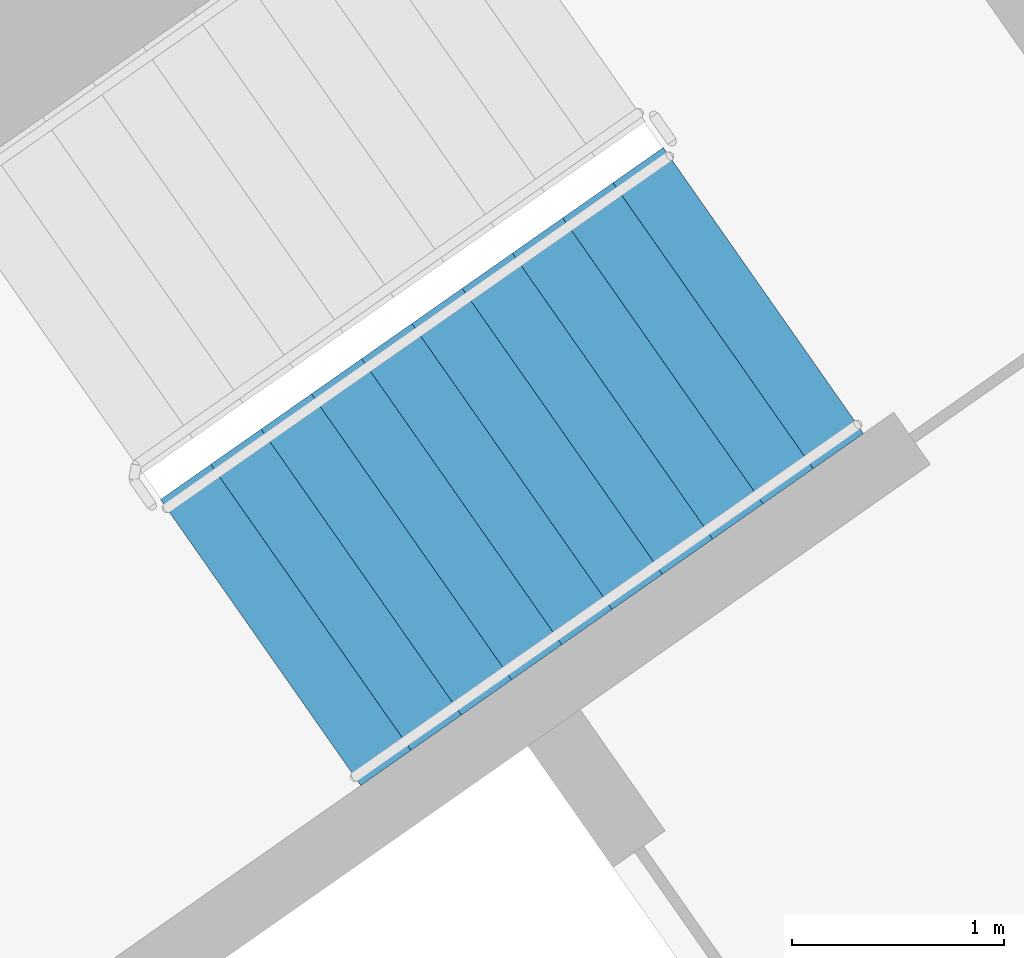
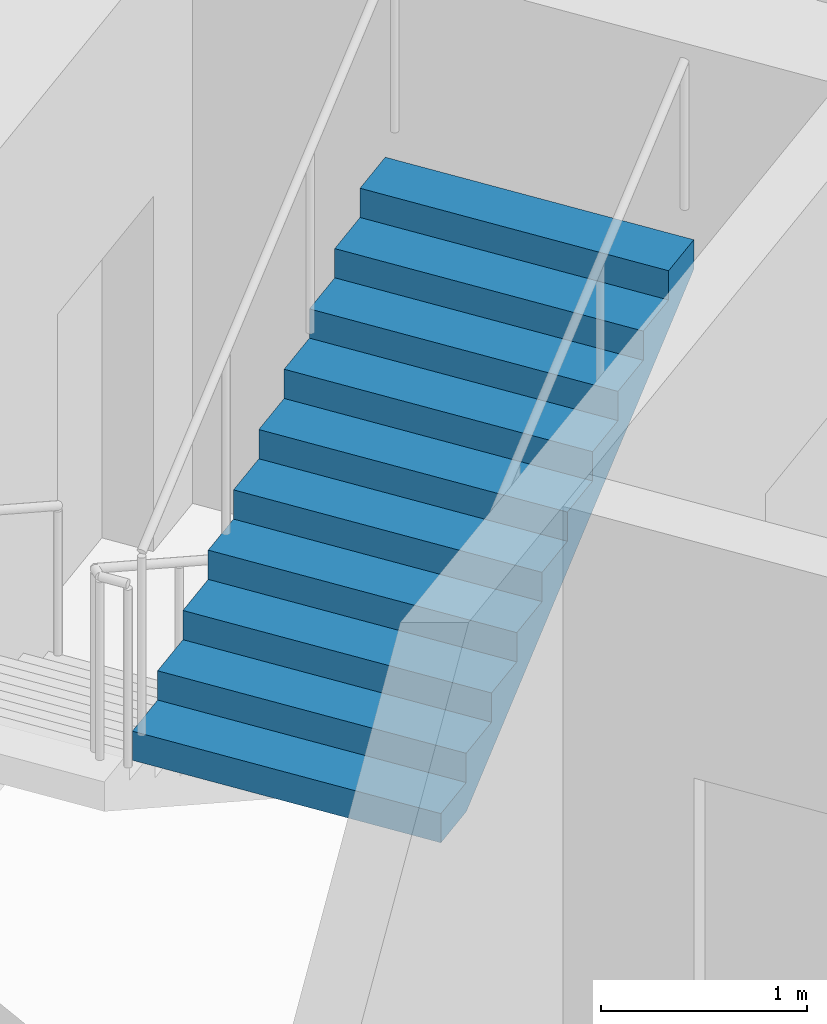
# One storey, part 15 of 26: 1 stair flight, 1 element without a shape of its own.
"""IFC4 building model written with IfcOpenShell, lengths in metres."""

from ifc_helpers import new_model, si_unit, direction, frame, origin, place, context, subcontext, project, spatial, faceted_brep, material, type_object, element, aggregate, save


model = new_model("IFC4")

# Units and contexts
model_context = context("Model", 3, precision=1e-05, world=origin(), true_north=direction((0.0, 1.0)))
body_context = subcontext(model_context, "Body", "Model", "MODEL_VIEW")
ifc_project = project(units=[si_unit("LENGTHUNIT", "METRE"), si_unit("AREAUNIT", "SQUARE_METRE"), si_unit("VOLUMEUNIT", "CUBIC_METRE"), si_unit("PLANEANGLEUNIT", "RADIAN"), si_unit("MASSUNIT", "GRAM", prefix="KILO")], contexts=[model_context])

# Site, building, storey
site_placement = place(None, origin())
site = spatial("IfcSite", under=ifc_project, at=site_placement, CompositionType="ELEMENT")
building_placement = place(site_placement, origin())
building = spatial("IfcBuilding", under=site, at=building_placement, Name="Qamariyya Broadcast Tower", CompositionType="ELEMENT")
storey_placement = place(building_placement, frame((0.0, 0.0, 160.699951171875)))
storey = spatial("IfcBuildingStorey", under=building, at=storey_placement, Name="L37", CompositionType="ELEMENT", Elevation=160.699951171875)

# Stair, stair flight
ifc_material = material(Name="Concrete C50/60", Category="concrete")
stair_type = type_object("IfcStairType", Name="Exit stair 22 risers of 173 mm", PredefinedType="HALF_TURN_STAIR", material=ifc_material)
stair_placement = place(storey_placement, origin())
stair = element("IfcStair", 1, at=stair_placement, inside=storey, type_object=stair_type, Name="L37 Stair E2", PredefinedType="HALF_TURN_STAIR")
stair_flight_type = type_object("IfcStairFlightType", Name="Exit stair flight 11 risers of 173 mm", PredefinedType="STRAIGHT", material=ifc_material)
stair_flight_placement = place(storey_placement, frame((39.215576171875, -50.822998046875, 1.900146484375), z_axis=(0.0, 0.0, 1.0), x_axis=(0.819152044289, 0.573576436351, 0.0)))
stair_flight = element("IfcStairFlight", 2, at=stair_flight_placement, type_object=stair_flight_type, Name="ST-E2 flight 2", NumberOfRisers=11, NumberOfTreads=10, PredefinedType="STRAIGHT", RiserHeight=0.172727273, TreadLength=0.29, context=body_context, shape_type="Brep", body=[
    faceted_brep([(0.0, 0.824951171875, 0.0), (0.0, 0.824951171875, 0.172607421875), (0.2900390625, 0.824951171875, 0.172607421875), (0.2900390625, 0.824951171875, 0.345458984375), (0.580078125, 0.824951171875, 0.345458984375), (0.580078125, 0.824951171875, 0.51806640625), (0.8701171875, 0.824951171875, 0.51806640625), (0.8701171875, 0.824951171875, 0.69091796875), (1.159912109375, 0.824951171875, 0.69091796875), (1.159912109375, 0.824951171875, 0.863525390625), (1.449951171875, 0.824951171875, 0.863525390625), (1.449951171875, 0.824951171875, 1.036376953125), (1.739990234375, 0.824951171875, 1.036376953125), (1.739990234375, 0.824951171875, 1.208984375), (2.030029296875, 0.824951171875, 1.208984375), (2.030029296875, 0.824951171875, 1.3818359375), (2.320068359375, 0.824951171875, 1.3818359375), (2.320068359375, 0.824951171875, 1.554443359375), (2.610107421875, 0.824951171875, 1.554443359375), (2.610107421875, 0.824951171875, 1.727294921875), (2.89990234375, 0.824951171875, 1.727294921875), (2.89990234375, 0.824951171875, 1.552734375), (0.29296875, 0.824951171875, 0.0), (0.29296875, -0.824951171875, 0.0), (2.89990234375, -0.824951171875, 1.552734375), (2.89990234375, -0.824951171875, 1.727294921875), (2.610107421875, -0.824951171875, 1.727294921875), (2.610107421875, -0.824951171875, 1.554443359375), (2.320068359375, -0.824951171875, 1.554443359375), (2.320068359375, -0.824951171875, 1.3818359375), (2.030029296875, -0.824951171875, 1.3818359375), (2.030029296875, -0.824951171875, 1.208984375), (1.739990234375, -0.824951171875, 1.208984375), (1.739990234375, -0.824951171875, 1.036376953125), (1.449951171875, -0.824951171875, 1.036376953125), (1.449951171875, -0.824951171875, 0.863525390625), (1.159912109375, -0.824951171875, 0.863525390625), (1.159912109375, -0.824951171875, 0.69091796875), (0.8701171875, -0.824951171875, 0.69091796875), (0.8701171875, -0.824951171875, 0.51806640625), (0.580078125, -0.824951171875, 0.51806640625), (0.580078125, -0.824951171875, 0.345458984375), (0.2900390625, -0.824951171875, 0.345458984375), (0.2900390625, -0.824951171875, 0.172607421875), (0.0, -0.824951171875, 0.172607421875), (0.0, -0.824951171875, 0.0), (0.0, 0.10009765625, 0.0), (0.0, 0.086669921875, 0.0), (0.0, 0.0732421875, 0.0), (0.0, 0.06005859375, 0.0), (0.0, 0.046630859375, 0.0), (0.0, 0.033447265625, 0.0), (0.0, 0.02001953125, 0.0), (0.0, 0.006591796875, 0.0), (0.0, -0.006591796875, 0.0), (0.0, -0.02001953125, 0.0), (0.0, -0.033447265625, 0.0), (0.0, -0.046630859375, 0.0), (0.0, -0.06005859375, 0.0), (0.0, -0.0732421875, 0.0), (0.0, -0.086669921875, 0.0), (0.0, -0.10009765625, 0.0), (0.0, -0.10009765625, 0.172607421875), (0.0, -0.086669921875, 0.172607421875), (0.0, -0.0732421875, 0.172607421875), (0.0, -0.06005859375, 0.172607421875), (0.0, -0.046630859375, 0.172607421875), (0.0, -0.033447265625, 0.172607421875), (0.0, -0.02001953125, 0.172607421875), (0.0, -0.006591796875, 0.172607421875), (0.0, 0.006591796875, 0.172607421875), (0.0, 0.02001953125, 0.172607421875), (0.0, 0.033447265625, 0.172607421875), (0.0, 0.046630859375, 0.172607421875), (0.0, 0.06005859375, 0.172607421875), (0.0, 0.0732421875, 0.172607421875), (0.0, 0.086669921875, 0.172607421875), (0.0, 0.10009765625, 0.172607421875), (0.2900390625, -0.10009765625, 0.172607421875), (0.2900390625, -0.086669921875, 0.172607421875), (0.2900390625, -0.0732421875, 0.172607421875), (0.2900390625, -0.06005859375, 0.172607421875), (0.2900390625, -0.046630859375, 0.172607421875), (0.2900390625, -0.033447265625, 0.172607421875), (0.2900390625, -0.02001953125, 0.172607421875), (0.2900390625, -0.006591796875, 0.172607421875), (0.2900390625, 0.006591796875, 0.172607421875), (0.2900390625, 0.02001953125, 0.172607421875), (0.2900390625, 0.033447265625, 0.172607421875), (0.2900390625, 0.046630859375, 0.172607421875), (0.2900390625, 0.06005859375, 0.172607421875), (0.2900390625, 0.0732421875, 0.172607421875), (0.2900390625, 0.086669921875, 0.172607421875), (0.2900390625, 0.10009765625, 0.172607421875), (0.2900390625, -0.10009765625, 0.345458984375), (0.2900390625, -0.086669921875, 0.345458984375), (0.2900390625, -0.0732421875, 0.345458984375), (0.2900390625, -0.06005859375, 0.345458984375), (0.2900390625, -0.046630859375, 0.345458984375), (0.2900390625, -0.033447265625, 0.345458984375), (0.2900390625, -0.02001953125, 0.345458984375), (0.2900390625, -0.006591796875, 0.345458984375), (0.2900390625, 0.006591796875, 0.345458984375), (0.2900390625, 0.02001953125, 0.345458984375), (0.2900390625, 0.033447265625, 0.345458984375), (0.2900390625, 0.046630859375, 0.345458984375), (0.2900390625, 0.06005859375, 0.345458984375), (0.2900390625, 0.0732421875, 0.345458984375), (0.2900390625, 0.086669921875, 0.345458984375), (0.2900390625, 0.10009765625, 0.345458984375), (0.580078125, -0.10009765625, 0.345458984375), (0.580078125, -0.086669921875, 0.345458984375), (0.580078125, -0.0732421875, 0.345458984375), (0.580078125, -0.06005859375, 0.345458984375), (0.580078125, -0.046630859375, 0.345458984375), (0.580078125, -0.033447265625, 0.345458984375), (0.580078125, -0.02001953125, 0.345458984375), (0.580078125, -0.006591796875, 0.345458984375), (0.580078125, 0.006591796875, 0.345458984375), (0.580078125, 0.02001953125, 0.345458984375), (0.580078125, 0.033447265625, 0.345458984375), (0.580078125, 0.046630859375, 0.345458984375), (0.580078125, 0.06005859375, 0.345458984375), (0.580078125, 0.0732421875, 0.345458984375), (0.580078125, 0.086669921875, 0.345458984375), (0.580078125, 0.10009765625, 0.345458984375), (0.580078125, -0.10009765625, 0.51806640625), (0.580078125, -0.086669921875, 0.51806640625), (0.580078125, -0.0732421875, 0.51806640625), (0.580078125, -0.06005859375, 0.51806640625), (0.580078125, -0.046630859375, 0.51806640625), (0.580078125, -0.033447265625, 0.51806640625), (0.580078125, -0.02001953125, 0.51806640625), (0.580078125, -0.006591796875, 0.51806640625), (0.580078125, 0.006591796875, 0.51806640625), (0.580078125, 0.02001953125, 0.51806640625), (0.580078125, 0.033447265625, 0.51806640625), (0.580078125, 0.046630859375, 0.51806640625), (0.580078125, 0.06005859375, 0.51806640625), (0.580078125, 0.0732421875, 0.51806640625), (0.580078125, 0.086669921875, 0.51806640625), (0.580078125, 0.10009765625, 0.51806640625), (0.8701171875, -0.10009765625, 0.51806640625), (0.8701171875, -0.086669921875, 0.51806640625), (0.8701171875, -0.0732421875, 0.51806640625), (0.8701171875, -0.06005859375, 0.51806640625), (0.8701171875, -0.046630859375, 0.51806640625), (0.8701171875, -0.033447265625, 0.51806640625), (0.8701171875, -0.02001953125, 0.51806640625), (0.8701171875, -0.006591796875, 0.51806640625), (0.8701171875, 0.006591796875, 0.51806640625), (0.8701171875, 0.02001953125, 0.51806640625), (0.8701171875, 0.033447265625, 0.51806640625), (0.8701171875, 0.046630859375, 0.51806640625), (0.8701171875, 0.06005859375, 0.51806640625), (0.8701171875, 0.0732421875, 0.51806640625), (0.8701171875, 0.086669921875, 0.51806640625), (0.8701171875, 0.10009765625, 0.51806640625), (0.8701171875, -0.10009765625, 0.69091796875), (0.8701171875, -0.086669921875, 0.69091796875), (0.8701171875, -0.0732421875, 0.69091796875), (0.8701171875, -0.06005859375, 0.69091796875), (0.8701171875, -0.046630859375, 0.69091796875), (0.8701171875, -0.033447265625, 0.69091796875), (0.8701171875, -0.02001953125, 0.69091796875), (0.8701171875, -0.006591796875, 0.69091796875), (0.8701171875, 0.006591796875, 0.69091796875), (0.8701171875, 0.02001953125, 0.69091796875), (0.8701171875, 0.033447265625, 0.69091796875), (0.8701171875, 0.046630859375, 0.69091796875), (0.8701171875, 0.06005859375, 0.69091796875), (0.8701171875, 0.0732421875, 0.69091796875), (0.8701171875, 0.086669921875, 0.69091796875), (0.8701171875, 0.10009765625, 0.69091796875), (1.159912109375, -0.10009765625, 0.69091796875), (1.159912109375, -0.086669921875, 0.69091796875), (1.159912109375, -0.0732421875, 0.69091796875), (1.159912109375, -0.06005859375, 0.69091796875), (1.159912109375, -0.046630859375, 0.69091796875), (1.159912109375, -0.033447265625, 0.69091796875), (1.159912109375, -0.02001953125, 0.69091796875), (1.159912109375, -0.006591796875, 0.69091796875), (1.159912109375, 0.006591796875, 0.69091796875), (1.159912109375, 0.02001953125, 0.69091796875), (1.159912109375, 0.033447265625, 0.69091796875), (1.159912109375, 0.046630859375, 0.69091796875), (1.159912109375, 0.06005859375, 0.69091796875), (1.159912109375, 0.0732421875, 0.69091796875), (1.159912109375, 0.086669921875, 0.69091796875), (1.159912109375, 0.10009765625, 0.69091796875), (1.159912109375, -0.10009765625, 0.863525390625), (1.159912109375, -0.086669921875, 0.863525390625), (1.159912109375, -0.0732421875, 0.863525390625), (1.159912109375, -0.06005859375, 0.863525390625), (1.159912109375, -0.046630859375, 0.863525390625), (1.159912109375, -0.033447265625, 0.863525390625), (1.159912109375, -0.02001953125, 0.863525390625), (1.159912109375, -0.006591796875, 0.863525390625), (1.159912109375, 0.006591796875, 0.863525390625), (1.159912109375, 0.02001953125, 0.863525390625), (1.159912109375, 0.033447265625, 0.863525390625), (1.159912109375, 0.046630859375, 0.863525390625), (1.159912109375, 0.06005859375, 0.863525390625), (1.159912109375, 0.0732421875, 0.863525390625), (1.159912109375, 0.086669921875, 0.863525390625), (1.159912109375, 0.10009765625, 0.863525390625), (1.449951171875, -0.10009765625, 0.863525390625), (1.449951171875, -0.086669921875, 0.863525390625), (1.449951171875, -0.0732421875, 0.863525390625), (1.449951171875, -0.06005859375, 0.863525390625), (1.449951171875, -0.046630859375, 0.863525390625), (1.449951171875, -0.033447265625, 0.863525390625), (1.449951171875, -0.02001953125, 0.863525390625), (1.449951171875, -0.006591796875, 0.863525390625), (1.449951171875, 0.006591796875, 0.863525390625), (1.449951171875, 0.02001953125, 0.863525390625), (1.449951171875, 0.033447265625, 0.863525390625), (1.449951171875, 0.046630859375, 0.863525390625), (1.449951171875, 0.06005859375, 0.863525390625), (1.449951171875, 0.0732421875, 0.863525390625), (1.449951171875, 0.086669921875, 0.863525390625), (1.449951171875, 0.10009765625, 0.863525390625), (1.449951171875, -0.10009765625, 1.036376953125), (1.449951171875, -0.086669921875, 1.036376953125), (1.449951171875, -0.0732421875, 1.036376953125), (1.449951171875, -0.06005859375, 1.036376953125), (1.449951171875, -0.046630859375, 1.036376953125), (1.449951171875, -0.033447265625, 1.036376953125), (1.449951171875, -0.02001953125, 1.036376953125), (1.449951171875, -0.006591796875, 1.036376953125), (1.449951171875, 0.006591796875, 1.036376953125), (1.449951171875, 0.02001953125, 1.036376953125), (1.449951171875, 0.033447265625, 1.036376953125), (1.449951171875, 0.046630859375, 1.036376953125), (1.449951171875, 0.06005859375, 1.036376953125), (1.449951171875, 0.0732421875, 1.036376953125), (1.449951171875, 0.086669921875, 1.036376953125), (1.449951171875, 0.10009765625, 1.036376953125), (1.739990234375, -0.10009765625, 1.036376953125), (1.739990234375, -0.086669921875, 1.036376953125), (1.739990234375, -0.0732421875, 1.036376953125), (1.739990234375, -0.06005859375, 1.036376953125), (1.739990234375, -0.046630859375, 1.036376953125), (1.739990234375, -0.033447265625, 1.036376953125), (1.739990234375, -0.02001953125, 1.036376953125), (1.739990234375, -0.006591796875, 1.036376953125), (1.739990234375, 0.006591796875, 1.036376953125), (1.739990234375, 0.02001953125, 1.036376953125), (1.739990234375, 0.033447265625, 1.036376953125), (1.739990234375, 0.046630859375, 1.036376953125), (1.739990234375, 0.06005859375, 1.036376953125), (1.739990234375, 0.0732421875, 1.036376953125), (1.739990234375, 0.086669921875, 1.036376953125), (1.739990234375, 0.10009765625, 1.036376953125), (1.739990234375, -0.10009765625, 1.208984375), (1.739990234375, -0.086669921875, 1.208984375), (1.739990234375, -0.0732421875, 1.208984375), (1.739990234375, -0.06005859375, 1.208984375), (1.739990234375, -0.046630859375, 1.208984375), (1.739990234375, -0.033447265625, 1.208984375), (1.739990234375, -0.02001953125, 1.208984375), (1.739990234375, -0.006591796875, 1.208984375), (1.739990234375, 0.006591796875, 1.208984375), (1.739990234375, 0.02001953125, 1.208984375), (1.739990234375, 0.033447265625, 1.208984375), (1.739990234375, 0.046630859375, 1.208984375), (1.739990234375, 0.06005859375, 1.208984375), (1.739990234375, 0.0732421875, 1.208984375), (1.739990234375, 0.086669921875, 1.208984375), (1.739990234375, 0.10009765625, 1.208984375), (2.030029296875, -0.10009765625, 1.208984375), (2.030029296875, -0.086669921875, 1.208984375), (2.030029296875, -0.0732421875, 1.208984375), (2.030029296875, -0.06005859375, 1.208984375), (2.030029296875, -0.046630859375, 1.208984375), (2.030029296875, -0.033447265625, 1.208984375), (2.030029296875, -0.02001953125, 1.208984375), (2.030029296875, -0.006591796875, 1.208984375), (2.030029296875, 0.006591796875, 1.208984375), (2.030029296875, 0.02001953125, 1.208984375), (2.030029296875, 0.033447265625, 1.208984375), (2.030029296875, 0.046630859375, 1.208984375), (2.030029296875, 0.06005859375, 1.208984375), (2.030029296875, 0.0732421875, 1.208984375), (2.030029296875, 0.086669921875, 1.208984375), (2.030029296875, 0.10009765625, 1.208984375), (2.030029296875, -0.10009765625, 1.3818359375), (2.030029296875, -0.086669921875, 1.3818359375), (2.030029296875, -0.0732421875, 1.3818359375), (2.030029296875, -0.06005859375, 1.3818359375), (2.030029296875, -0.046630859375, 1.3818359375), (2.030029296875, -0.033447265625, 1.3818359375), (2.030029296875, -0.02001953125, 1.3818359375), (2.030029296875, -0.006591796875, 1.3818359375), (2.030029296875, 0.006591796875, 1.3818359375), (2.030029296875, 0.02001953125, 1.3818359375), (2.030029296875, 0.033447265625, 1.3818359375), (2.030029296875, 0.046630859375, 1.3818359375), (2.030029296875, 0.06005859375, 1.3818359375), (2.030029296875, 0.0732421875, 1.3818359375), (2.030029296875, 0.086669921875, 1.3818359375), (2.030029296875, 0.10009765625, 1.3818359375), (2.320068359375, -0.10009765625, 1.3818359375), (2.320068359375, -0.086669921875, 1.3818359375), (2.320068359375, -0.0732421875, 1.3818359375), (2.320068359375, -0.06005859375, 1.3818359375), (2.320068359375, -0.046630859375, 1.3818359375), (2.320068359375, -0.033447265625, 1.3818359375), (2.320068359375, -0.02001953125, 1.3818359375), (2.320068359375, -0.006591796875, 1.3818359375), (2.320068359375, 0.006591796875, 1.3818359375), (2.320068359375, 0.02001953125, 1.3818359375), (2.320068359375, 0.033447265625, 1.3818359375), (2.320068359375, 0.046630859375, 1.3818359375), (2.320068359375, 0.06005859375, 1.3818359375), (2.320068359375, 0.0732421875, 1.3818359375), (2.320068359375, 0.086669921875, 1.3818359375), (2.320068359375, 0.10009765625, 1.3818359375), (2.320068359375, -0.10009765625, 1.554443359375), (2.320068359375, -0.086669921875, 1.554443359375), (2.320068359375, -0.0732421875, 1.554443359375), (2.320068359375, -0.06005859375, 1.554443359375), (2.320068359375, -0.046630859375, 1.554443359375), (2.320068359375, -0.033447265625, 1.554443359375), (2.320068359375, -0.02001953125, 1.554443359375), (2.320068359375, -0.006591796875, 1.554443359375), (2.320068359375, 0.006591796875, 1.554443359375), (2.320068359375, 0.02001953125, 1.554443359375), (2.320068359375, 0.033447265625, 1.554443359375), (2.320068359375, 0.046630859375, 1.554443359375), (2.320068359375, 0.06005859375, 1.554443359375), (2.320068359375, 0.0732421875, 1.554443359375), (2.320068359375, 0.086669921875, 1.554443359375), (2.320068359375, 0.10009765625, 1.554443359375), (2.610107421875, -0.10009765625, 1.554443359375), (2.610107421875, -0.086669921875, 1.554443359375), (2.610107421875, -0.0732421875, 1.554443359375), (2.610107421875, -0.06005859375, 1.554443359375), (2.610107421875, -0.046630859375, 1.554443359375), (2.610107421875, -0.033447265625, 1.554443359375), (2.610107421875, -0.02001953125, 1.554443359375), (2.610107421875, -0.006591796875, 1.554443359375), (2.610107421875, 0.006591796875, 1.554443359375), (2.610107421875, 0.02001953125, 1.554443359375), (2.610107421875, 0.033447265625, 1.554443359375), (2.610107421875, 0.046630859375, 1.554443359375), (2.610107421875, 0.06005859375, 1.554443359375), (2.610107421875, 0.0732421875, 1.554443359375), (2.610107421875, 0.086669921875, 1.554443359375), (2.610107421875, 0.10009765625, 1.554443359375), (2.610107421875, -0.10009765625, 1.727294921875), (2.610107421875, -0.086669921875, 1.727294921875), (2.610107421875, -0.0732421875, 1.727294921875), (2.610107421875, -0.06005859375, 1.727294921875), (2.610107421875, -0.046630859375, 1.727294921875), (2.610107421875, -0.033447265625, 1.727294921875), (2.610107421875, -0.02001953125, 1.727294921875), (2.610107421875, -0.006591796875, 1.727294921875), (2.610107421875, 0.006591796875, 1.727294921875), (2.610107421875, 0.02001953125, 1.727294921875), (2.610107421875, 0.033447265625, 1.727294921875), (2.610107421875, 0.046630859375, 1.727294921875), (2.610107421875, 0.06005859375, 1.727294921875), (2.610107421875, 0.0732421875, 1.727294921875), (2.610107421875, 0.086669921875, 1.727294921875), (2.610107421875, 0.10009765625, 1.727294921875), (2.89990234375, -0.10009765625, 1.727294921875), (2.89990234375, -0.086669921875, 1.727294921875), (2.89990234375, -0.0732421875, 1.727294921875), (2.89990234375, -0.06005859375, 1.727294921875), (2.89990234375, -0.046630859375, 1.727294921875), (2.89990234375, -0.033447265625, 1.727294921875), (2.89990234375, -0.02001953125, 1.727294921875), (2.89990234375, -0.006591796875, 1.727294921875), (2.89990234375, 0.006591796875, 1.727294921875), (2.89990234375, 0.02001953125, 1.727294921875), (2.89990234375, 0.033447265625, 1.727294921875), (2.89990234375, 0.046630859375, 1.727294921875), (2.89990234375, 0.06005859375, 1.727294921875), (2.89990234375, 0.0732421875, 1.727294921875), (2.89990234375, 0.086669921875, 1.727294921875), (2.89990234375, 0.10009765625, 1.727294921875), (2.89990234375, -0.10009765625, 1.552734375), (2.89990234375, -0.086669921875, 1.552734375), (2.89990234375, -0.0732421875, 1.552734375), (2.89990234375, -0.06005859375, 1.552734375), (2.89990234375, -0.046630859375, 1.552734375), (2.89990234375, -0.033447265625, 1.552734375), (2.89990234375, -0.02001953125, 1.552734375), (2.89990234375, -0.006591796875, 1.552734375), (2.89990234375, 0.006591796875, 1.552734375), (2.89990234375, 0.02001953125, 1.552734375), (2.89990234375, 0.033447265625, 1.552734375), (2.89990234375, 0.046630859375, 1.552734375), (2.89990234375, 0.06005859375, 1.552734375), (2.89990234375, 0.0732421875, 1.552734375), (2.89990234375, 0.086669921875, 1.552734375), (2.89990234375, 0.10009765625, 1.552734375), (0.29296875, -0.10009765625, 0.0), (0.29296875, -0.086669921875, 0.0), (0.29296875, -0.0732421875, 0.0), (0.29296875, -0.06005859375, 0.0), (0.29296875, -0.046630859375, 0.0), (0.29296875, -0.033447265625, 0.0), (0.29296875, -0.02001953125, 0.0), (0.29296875, -0.006591796875, 0.0), (0.29296875, 0.006591796875, 0.0), (0.29296875, 0.02001953125, 0.0), (0.29296875, 0.033447265625, 0.0), (0.29296875, 0.046630859375, 0.0), (0.29296875, 0.06005859375, 0.0), (0.29296875, 0.0732421875, 0.0), (0.29296875, 0.086669921875, 0.0), (0.29296875, 0.10009765625, 0.0)], [[[0, 1, 2, 3, 4, 5, 6, 7, 8, 9, 10, 11, 12, 13, 14, 15, 16, 17, 18, 19, 20, 21, 22]], [[23, 24, 25, 26, 27, 28, 29, 30, 31, 32, 33, 34, 35, 36, 37, 38, 39, 40, 41, 42, 43, 44, 45]], [[0, 46, 47, 48, 49, 50, 51, 52, 53, 54, 55, 56, 57, 58, 59, 60, 61, 45, 44, 62, 63, 64, 65, 66, 67, 68, 69, 70, 71, 72, 73, 74, 75, 76, 77, 1]], [[1, 77, 76, 75, 74, 73, 72, 71, 70, 69, 68, 67, 66, 65, 64, 63, 62, 44, 43, 78, 79, 80, 81, 82, 83, 84, 85, 86, 87, 88, 89, 90, 91, 92, 93, 2]], [[2, 93, 92, 91, 90, 89, 88, 87, 86, 85, 84, 83, 82, 81, 80, 79, 78, 43, 42, 94, 95, 96, 97, 98, 99, 100, 101, 102, 103, 104, 105, 106, 107, 108, 109, 3]], [[3, 109, 108, 107, 106, 105, 104, 103, 102, 101, 100, 99, 98, 97, 96, 95, 94, 42, 41, 110, 111, 112, 113, 114, 115, 116, 117, 118, 119, 120, 121, 122, 123, 124, 125, 4]], [[4, 125, 124, 123, 122, 121, 120, 119, 118, 117, 116, 115, 114, 113, 112, 111, 110, 41, 40, 126, 127, 128, 129, 130, 131, 132, 133, 134, 135, 136, 137, 138, 139, 140, 141, 5]], [[5, 141, 140, 139, 138, 137, 136, 135, 134, 133, 132, 131, 130, 129, 128, 127, 126, 40, 39, 142, 143, 144, 145, 146, 147, 148, 149, 150, 151, 152, 153, 154, 155, 156, 157, 6]], [[6, 157, 156, 155, 154, 153, 152, 151, 150, 149, 148, 147, 146, 145, 144, 143, 142, 39, 38, 158, 159, 160, 161, 162, 163, 164, 165, 166, 167, 168, 169, 170, 171, 172, 173, 7]], [[7, 173, 172, 171, 170, 169, 168, 167, 166, 165, 164, 163, 162, 161, 160, 159, 158, 38, 37, 174, 175, 176, 177, 178, 179, 180, 181, 182, 183, 184, 185, 186, 187, 188, 189, 8]], [[8, 189, 188, 187, 186, 185, 184, 183, 182, 181, 180, 179, 178, 177, 176, 175, 174, 37, 36, 190, 191, 192, 193, 194, 195, 196, 197, 198, 199, 200, 201, 202, 203, 204, 205, 9]], [[9, 205, 204, 203, 202, 201, 200, 199, 198, 197, 196, 195, 194, 193, 192, 191, 190, 36, 35, 206, 207, 208, 209, 210, 211, 212, 213, 214, 215, 216, 217, 218, 219, 220, 221, 10]], [[10, 221, 220, 219, 218, 217, 216, 215, 214, 213, 212, 211, 210, 209, 208, 207, 206, 35, 34, 222, 223, 224, 225, 226, 227, 228, 229, 230, 231, 232, 233, 234, 235, 236, 237, 11]], [[11, 237, 236, 235, 234, 233, 232, 231, 230, 229, 228, 227, 226, 225, 224, 223, 222, 34, 33, 238, 239, 240, 241, 242, 243, 244, 245, 246, 247, 248, 249, 250, 251, 252, 253, 12]], [[12, 253, 252, 251, 250, 249, 248, 247, 246, 245, 244, 243, 242, 241, 240, 239, 238, 33, 32, 254, 255, 256, 257, 258, 259, 260, 261, 262, 263, 264, 265, 266, 267, 268, 269, 13]], [[13, 269, 268, 267, 266, 265, 264, 263, 262, 261, 260, 259, 258, 257, 256, 255, 254, 32, 31, 270, 271, 272, 273, 274, 275, 276, 277, 278, 279, 280, 281, 282, 283, 284, 285, 14]], [[14, 285, 284, 283, 282, 281, 280, 279, 278, 277, 276, 275, 274, 273, 272, 271, 270, 31, 30, 286, 287, 288, 289, 290, 291, 292, 293, 294, 295, 296, 297, 298, 299, 300, 301, 15]], [[15, 301, 300, 299, 298, 297, 296, 295, 294, 293, 292, 291, 290, 289, 288, 287, 286, 30, 29, 302, 303, 304, 305, 306, 307, 308, 309, 310, 311, 312, 313, 314, 315, 316, 317, 16]], [[16, 317, 316, 315, 314, 313, 312, 311, 310, 309, 308, 307, 306, 305, 304, 303, 302, 29, 28, 318, 319, 320, 321, 322, 323, 324, 325, 326, 327, 328, 329, 330, 331, 332, 333, 17]], [[17, 333, 332, 331, 330, 329, 328, 327, 326, 325, 324, 323, 322, 321, 320, 319, 318, 28, 27, 334, 335, 336, 337, 338, 339, 340, 341, 342, 343, 344, 345, 346, 347, 348, 349, 18]], [[18, 349, 348, 347, 346, 345, 344, 343, 342, 341, 340, 339, 338, 337, 336, 335, 334, 27, 26, 350, 351, 352, 353, 354, 355, 356, 357, 358, 359, 360, 361, 362, 363, 364, 365, 19]], [[19, 365, 364, 363, 362, 361, 360, 359, 358, 357, 356, 355, 354, 353, 352, 351, 350, 26, 25, 366, 367, 368, 369, 370, 371, 372, 373, 374, 375, 376, 377, 378, 379, 380, 381, 20]], [[20, 381, 380, 379, 378, 377, 376, 375, 374, 373, 372, 371, 370, 369, 368, 367, 366, 25, 24, 382, 383, 384, 385, 386, 387, 388, 389, 390, 391, 392, 393, 394, 395, 396, 397, 21]], [[21, 397, 396, 395, 394, 393, 392, 391, 390, 389, 388, 387, 386, 385, 384, 383, 382, 24, 23, 398, 399, 400, 401, 402, 403, 404, 405, 406, 407, 408, 409, 410, 411, 412, 413, 22]], [[22, 413, 412, 411, 410, 409, 408, 407, 406, 405, 404, 403, 402, 401, 400, 399, 398, 23, 45, 61, 60, 59, 58, 57, 56, 55, 54, 53, 52, 51, 50, 49, 48, 47, 46, 0]]]),
])
aggregate(stair, [stair_flight])

save(model, "model.ifc")
